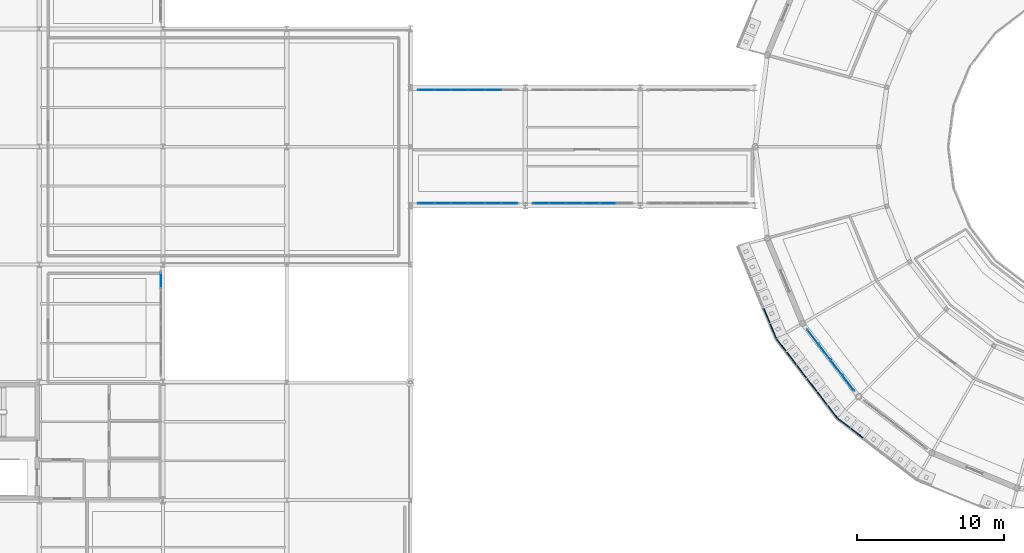
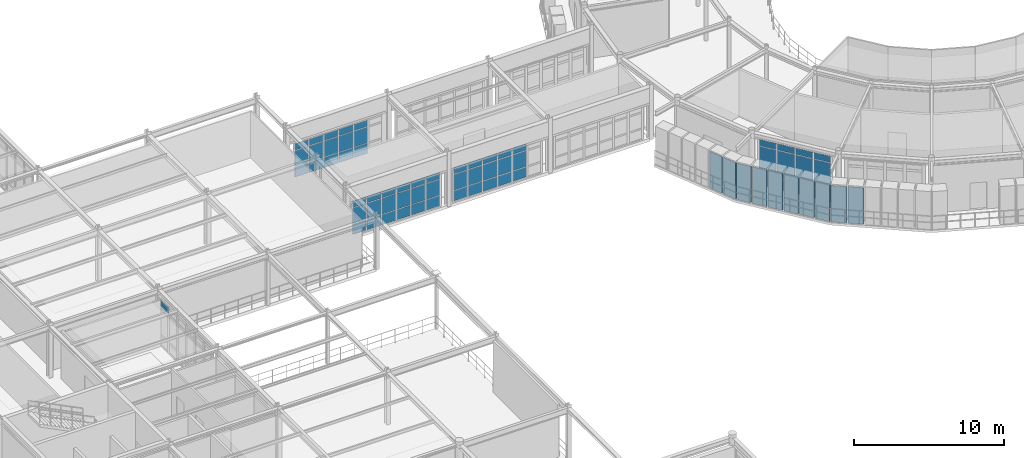
# One storey, part 66 of 106: 71 plates, 5 elements without a shape of their own.
"""IFC4 building model written with IfcOpenShell, lengths in metres."""

from ifc_helpers import new_model, si_unit, derived_unit, direction, frame, origin, origin_2d, place, context, subcontext, project, spatial, rectangle, extrude, material, layer, layer_set, type_object, element, aggregate, save


model = new_model("IFC4")

# Units and contexts
model_context = context("Model", 3, precision=1e-05, world=origin(), true_north=direction((0.0, 1.0)))
body_context = subcontext(model_context, "Body", "Model", "MODEL_VIEW")
ifc_project = project(units=[si_unit("LENGTHUNIT", "METRE"), si_unit("AREAUNIT", "SQUARE_METRE"), si_unit("VOLUMEUNIT", "CUBIC_METRE"), si_unit("PLANEANGLEUNIT", "RADIAN"), si_unit("MASSUNIT", "GRAM", prefix="KILO"), derived_unit("THERMALTRANSMITTANCEUNIT", [(si_unit("POWERUNIT", "WATT"), 1), (si_unit("AREAUNIT", "SQUARE_METRE"), -1), (si_unit("THERMODYNAMICTEMPERATUREUNIT", "KELVIN"), -1)])], contexts=[model_context])

# Site, building, storey
site_placement = place(None, origin())
site = spatial("IfcSite", under=ifc_project, at=site_placement, CompositionType="ELEMENT")
building_placement = place(site_placement, origin())
building = spatial("IfcBuilding", under=site, at=building_placement, Name="Yasenodar Specialist Clinic", CompositionType="ELEMENT")
storey_placement = place(building_placement, frame((0.0, 0.0, 4.5)))
storey = spatial("IfcBuildingStorey", under=building, at=storey_placement, Name="L01", CompositionType="ELEMENT", Elevation=4.5)

# Curtain wall, plates
ifc_material_1 = material(Name="Bronze Anodized Aluminium and Triple Low-E Glass", Category="aluminium")
ifc_layer_1 = layer(ifc_material_1, 0.19091796875)
ifc_layer_set_1 = layer_set([ifc_layer_1], Name="Bronze Anodized Aluminium and Triple Low-E Glass")
curtain_wall_type_1 = type_object("IfcCurtainWallType", Name="CW-SYS-03", PredefinedType="USERDEFINED", material=ifc_layer_set_1)
curtain_wall_1_placement = place(storey_placement, origin())
curtain_wall_1 = element("IfcCurtainWall", 1, at=curtain_wall_1_placement, inside=storey, type_object=curtain_wall_type_1, Name="L01 Unitised Curtain Wall 104", ObjectType="UNITISED CURTAIN WALL", PredefinedType="USERDEFINED")
ifc_material_2 = material(Name="Triple Low-E Argon Glazing", Category="glass")
ifc_layer_2 = layer(ifc_material_2, 0.028076171875)
ifc_layer_set_2 = layer_set([ifc_layer_2], Name="Triple Low-E Argon Glazing")
plate_type_1 = type_object("IfcPlateType", Name="CW-PAN-1", PredefinedType="CURTAIN_PANEL", material=ifc_layer_set_2)
plate_1_placement = place(storey_placement, frame((47.010009765625, 54.949951171875, 0.06005859375), z_axis=(0.0, 0.0, 1.0), x_axis=(-1.0, 0.0, 0.0)))
plate_1 = element("IfcPlate", 2, at=plate_1_placement, type_object=plate_type_1, Name="CW-03 panel 2.1", PredefinedType="CURTAIN_PANEL", context=body_context, shape_type="SweptSolid", body=[
    extrude(rectangle(XDim=1.080078125, YDim=0.028076171875, at=origin_2d()), origin(), (0.0, 0.0, 1.0), 0.81005859375),
])
plate_2_placement = place(storey_placement, frame((47.010009765625, 54.949951171875, 0.929931640625), z_axis=(0.0, 0.0, 1.0), x_axis=(-1.0, 0.0, 0.0)))
plate_2 = element("IfcPlate", 3, at=plate_2_placement, type_object=plate_type_1, Name="CW-03 panel 2.2", PredefinedType="CURTAIN_PANEL", context=body_context, shape_type="SweptSolid", body=[
    extrude(rectangle(XDim=1.080078125, YDim=0.028076171875, at=origin_2d()), origin(), (0.0, 0.0, 1.0), 1.26806640625),
])
plate_3_placement = place(storey_placement, frame((47.010009765625, 54.949951171875, 2.2578125), z_axis=(0.0, 0.0, 1.0), x_axis=(-1.0, 0.0, 0.0)))
plate_3 = element("IfcPlate", 4, at=plate_3_placement, type_object=plate_type_1, Name="CW-03 panel 2.3", PredefinedType="CURTAIN_PANEL", context=body_context, shape_type="SweptSolid", body=[
    extrude(rectangle(XDim=1.080078125, YDim=0.028076171875, at=origin_2d()), origin(), (0.0, 0.0, 1.0), 0.510009765625),
])
plate_4_placement = place(storey_placement, frame((45.8701171875, 54.949951171875, 0.06005859375), z_axis=(0.0, 0.0, 1.0), x_axis=(-1.0, 0.0, 0.0)))
plate_4 = element("IfcPlate", 5, at=plate_4_placement, type_object=plate_type_1, Name="CW-03 panel 3.1", PredefinedType="CURTAIN_PANEL", context=body_context, shape_type="SweptSolid", body=[
    extrude(rectangle(XDim=1.080078125, YDim=0.028076171875, at=origin_2d()), origin(), (0.0, 0.0, 1.0), 0.81005859375),
])
plate_5_placement = place(storey_placement, frame((45.8701171875, 54.949951171875, 0.929931640625), z_axis=(0.0, 0.0, 1.0), x_axis=(-1.0, 0.0, 0.0)))
plate_5 = element("IfcPlate", 6, at=plate_5_placement, type_object=plate_type_1, Name="CW-03 panel 3.2", PredefinedType="CURTAIN_PANEL", context=body_context, shape_type="SweptSolid", body=[
    extrude(rectangle(XDim=1.080078125, YDim=0.028076171875, at=origin_2d()), origin(), (0.0, 0.0, 1.0), 1.26806640625),
])
plate_6_placement = place(storey_placement, frame((45.8701171875, 54.949951171875, 2.2578125), z_axis=(0.0, 0.0, 1.0), x_axis=(-1.0, 0.0, 0.0)))
plate_6 = element("IfcPlate", 7, at=plate_6_placement, type_object=plate_type_1, Name="CW-03 panel 3.3", PredefinedType="CURTAIN_PANEL", context=body_context, shape_type="SweptSolid", body=[
    extrude(rectangle(XDim=1.080078125, YDim=0.028076171875, at=origin_2d()), origin(), (0.0, 0.0, 1.0), 0.510009765625),
])
plate_7_placement = place(storey_placement, frame((44.72998046875, 54.949951171875, 0.06005859375), z_axis=(0.0, 0.0, 1.0), x_axis=(-1.0, 0.0, 0.0)))
plate_7 = element("IfcPlate", 8, at=plate_7_placement, type_object=plate_type_1, Name="CW-03 panel 4.1", PredefinedType="CURTAIN_PANEL", context=body_context, shape_type="SweptSolid", body=[
    extrude(rectangle(XDim=1.080078125, YDim=0.028076171875, at=origin_2d()), origin(), (0.0, 0.0, 1.0), 0.81005859375),
])
plate_8_placement = place(storey_placement, frame((44.72998046875, 54.949951171875, 0.929931640625), z_axis=(0.0, 0.0, 1.0), x_axis=(-1.0, 0.0, 0.0)))
plate_8 = element("IfcPlate", 9, at=plate_8_placement, type_object=plate_type_1, Name="CW-03 panel 4.2", PredefinedType="CURTAIN_PANEL", context=body_context, shape_type="SweptSolid", body=[
    extrude(rectangle(XDim=1.080078125, YDim=0.028076171875, at=origin_2d()), origin(), (0.0, 0.0, 1.0), 1.26806640625),
])
plate_9_placement = place(storey_placement, frame((44.72998046875, 54.949951171875, 2.2578125), z_axis=(0.0, 0.0, 1.0), x_axis=(-1.0, 0.0, 0.0)))
plate_9 = element("IfcPlate", 10, at=plate_9_placement, type_object=plate_type_1, Name="CW-03 panel 4.3", PredefinedType="CURTAIN_PANEL", context=body_context, shape_type="SweptSolid", body=[
    extrude(rectangle(XDim=1.080078125, YDim=0.028076171875, at=origin_2d()), origin(), (0.0, 0.0, 1.0), 0.510009765625),
])
plate_10_placement = place(storey_placement, frame((43.590087890625, 54.949951171875, 0.06005859375), z_axis=(0.0, 0.0, 1.0), x_axis=(-1.0, 0.0, 0.0)))
plate_10 = element("IfcPlate", 11, at=plate_10_placement, type_object=plate_type_1, Name="CW-03 panel 5.1", PredefinedType="CURTAIN_PANEL", context=body_context, shape_type="SweptSolid", body=[
    extrude(rectangle(XDim=1.080078125, YDim=0.028076171875, at=origin_2d()), origin(), (0.0, 0.0, 1.0), 0.81005859375),
])
plate_11_placement = place(storey_placement, frame((43.590087890625, 54.949951171875, 0.929931640625), z_axis=(0.0, 0.0, 1.0), x_axis=(-1.0, 0.0, 0.0)))
plate_11 = element("IfcPlate", 12, at=plate_11_placement, type_object=plate_type_1, Name="CW-03 panel 5.2", PredefinedType="CURTAIN_PANEL", context=body_context, shape_type="SweptSolid", body=[
    extrude(rectangle(XDim=1.080078125, YDim=0.028076171875, at=origin_2d()), origin(), (0.0, 0.0, 1.0), 1.26806640625),
])
plate_12_placement = place(storey_placement, frame((43.590087890625, 54.949951171875, 2.2578125), z_axis=(0.0, 0.0, 1.0), x_axis=(-1.0, 0.0, 0.0)))
plate_12 = element("IfcPlate", 13, at=plate_12_placement, type_object=plate_type_1, Name="CW-03 panel 5.3", PredefinedType="CURTAIN_PANEL", context=body_context, shape_type="SweptSolid", body=[
    extrude(rectangle(XDim=1.080078125, YDim=0.028076171875, at=origin_2d()), origin(), (0.0, 0.0, 1.0), 0.510009765625),
])
plate_13_placement = place(storey_placement, frame((42.465087890625, 54.949951171875, 0.06005859375), z_axis=(0.0, 0.0, 1.0), x_axis=(-1.0, 0.0, 0.0)))
plate_13 = element("IfcPlate", 14, at=plate_13_placement, type_object=plate_type_1, Name="CW-03 panel 6.1", PredefinedType="CURTAIN_PANEL", context=body_context, shape_type="SweptSolid", body=[
    extrude(rectangle(XDim=1.050048828125, YDim=0.028076171875, at=origin_2d()), origin(), (0.0, 0.0, 1.0), 0.81005859375),
])
plate_14_placement = place(storey_placement, frame((42.465087890625, 54.949951171875, 0.929931640625), z_axis=(0.0, 0.0, 1.0), x_axis=(-1.0, 0.0, 0.0)))
plate_14 = element("IfcPlate", 15, at=plate_14_placement, type_object=plate_type_1, Name="CW-03 panel 6.2", PredefinedType="CURTAIN_PANEL", context=body_context, shape_type="SweptSolid", body=[
    extrude(rectangle(XDim=1.050048828125, YDim=0.028076171875, at=origin_2d()), origin(), (0.0, 0.0, 1.0), 1.26806640625),
])
plate_15_placement = place(storey_placement, frame((42.465087890625, 54.949951171875, 2.2578125), z_axis=(0.0, 0.0, 1.0), x_axis=(-1.0, 0.0, 0.0)))
plate_15 = element("IfcPlate", 16, at=plate_15_placement, type_object=plate_type_1, Name="CW-03 panel 6.3", PredefinedType="CURTAIN_PANEL", context=body_context, shape_type="SweptSolid", body=[
    extrude(rectangle(XDim=1.050048828125, YDim=0.028076171875, at=origin_2d()), origin(), (0.0, 0.0, 1.0), 0.510009765625),
])
aggregate(curtain_wall_1, [plate_1, plate_2, plate_3, plate_4, plate_5, plate_6, plate_7, plate_8, plate_9, plate_10, plate_11, plate_12, plate_13, plate_14, plate_15])

curtain_wall_2_placement = place(storey_placement, origin())
curtain_wall_2 = element("IfcCurtainWall", 17, at=curtain_wall_2_placement, inside=storey, type_object=curtain_wall_type_1, Name="L01 Unitised Curtain Wall 101", ObjectType="UNITISED CURTAIN WALL", PredefinedType="USERDEFINED")
ifc_layer_3 = layer(ifc_material_2, 0.033935546875)
ifc_layer_set_3 = layer_set([ifc_layer_3], Name="Triple Low-E Argon Glazing")
plate_type_2 = type_object("IfcPlateType", Name="CW-PAN-2", PredefinedType="CURTAIN_PANEL", material=ifc_layer_set_3)
plate_16_placement = place(storey_placement, frame((34.6650390625, 62.64990234375, 0.06005859375), z_axis=(0.0, 0.0, 1.0), x_axis=(1.0, 0.0, 0.0)))
plate_16 = element("IfcPlate", 18, at=plate_16_placement, type_object=plate_type_2, Name="CW-03 panel 1.1", PredefinedType="CURTAIN_PANEL", context=body_context, shape_type="SweptSolid", body=[
    extrude(rectangle(XDim=1.050048828125, YDim=0.033935546875, at=origin_2d()), origin(), (0.0, 0.0, 1.0), 0.81005859375),
])
plate_17_placement = place(storey_placement, frame((34.6650390625, 62.64990234375, 0.929931640625), z_axis=(0.0, 0.0, 1.0), x_axis=(1.0, 0.0, 0.0)))
plate_17 = element("IfcPlate", 19, at=plate_17_placement, type_object=plate_type_2, Name="CW-03 panel 1.2", PredefinedType="CURTAIN_PANEL", context=body_context, shape_type="SweptSolid", body=[
    extrude(rectangle(XDim=1.050048828125, YDim=0.033935546875, at=origin_2d()), origin(), (0.0, 0.0, 1.0), 1.26806640625),
])
plate_18_placement = place(storey_placement, frame((34.6650390625, 62.64990234375, 2.2578125), z_axis=(0.0, 0.0, 1.0), x_axis=(1.0, 0.0, 0.0)))
plate_18 = element("IfcPlate", 20, at=plate_18_placement, type_object=plate_type_2, Name="CW-03 panel 1.3", PredefinedType="CURTAIN_PANEL", context=body_context, shape_type="SweptSolid", body=[
    extrude(rectangle(XDim=1.050048828125, YDim=0.033935546875, at=origin_2d()), origin(), (0.0, 0.0, 1.0), 0.510009765625),
])
plate_19_placement = place(storey_placement, frame((35.7900390625, 62.64990234375, 0.06005859375), z_axis=(0.0, 0.0, 1.0), x_axis=(1.0, 0.0, 0.0)))
plate_19 = element("IfcPlate", 21, at=plate_19_placement, type_object=plate_type_2, Name="CW-03 panel 2.1", PredefinedType="CURTAIN_PANEL", context=body_context, shape_type="SweptSolid", body=[
    extrude(rectangle(XDim=1.080078125, YDim=0.033935546875, at=origin_2d()), origin(), (0.0, 0.0, 1.0), 0.81005859375),
])
plate_20_placement = place(storey_placement, frame((35.7900390625, 62.64990234375, 0.929931640625), z_axis=(0.0, 0.0, 1.0), x_axis=(1.0, 0.0, 0.0)))
plate_20 = element("IfcPlate", 22, at=plate_20_placement, type_object=plate_type_2, Name="CW-03 panel 2.2", PredefinedType="CURTAIN_PANEL", context=body_context, shape_type="SweptSolid", body=[
    extrude(rectangle(XDim=1.080078125, YDim=0.033935546875, at=origin_2d()), origin(), (0.0, 0.0, 1.0), 1.26806640625),
])
plate_21_placement = place(storey_placement, frame((35.7900390625, 62.64990234375, 2.2578125), z_axis=(0.0, 0.0, 1.0), x_axis=(1.0, 0.0, 0.0)))
plate_21 = element("IfcPlate", 23, at=plate_21_placement, type_object=plate_type_2, Name="CW-03 panel 2.3", PredefinedType="CURTAIN_PANEL", context=body_context, shape_type="SweptSolid", body=[
    extrude(rectangle(XDim=1.080078125, YDim=0.033935546875, at=origin_2d()), origin(), (0.0, 0.0, 1.0), 0.510009765625),
])
plate_22_placement = place(storey_placement, frame((36.929931640625, 62.64990234375, 0.06005859375), z_axis=(0.0, 0.0, 1.0), x_axis=(1.0, 0.0, 0.0)))
plate_22 = element("IfcPlate", 24, at=plate_22_placement, type_object=plate_type_2, Name="CW-03 panel 3.1", PredefinedType="CURTAIN_PANEL", context=body_context, shape_type="SweptSolid", body=[
    extrude(rectangle(XDim=1.080078125, YDim=0.033935546875, at=origin_2d()), origin(), (0.0, 0.0, 1.0), 0.81005859375),
])
plate_23_placement = place(storey_placement, frame((36.929931640625, 62.64990234375, 0.929931640625), z_axis=(0.0, 0.0, 1.0), x_axis=(1.0, 0.0, 0.0)))
plate_23 = element("IfcPlate", 25, at=plate_23_placement, type_object=plate_type_2, Name="CW-03 panel 3.2", PredefinedType="CURTAIN_PANEL", context=body_context, shape_type="SweptSolid", body=[
    extrude(rectangle(XDim=1.080078125, YDim=0.033935546875, at=origin_2d()), origin(), (0.0, 0.0, 1.0), 1.26806640625),
])
plate_24_placement = place(storey_placement, frame((36.929931640625, 62.64990234375, 2.2578125), z_axis=(0.0, 0.0, 1.0), x_axis=(1.0, 0.0, 0.0)))
plate_24 = element("IfcPlate", 26, at=plate_24_placement, type_object=plate_type_2, Name="CW-03 panel 3.3", PredefinedType="CURTAIN_PANEL", context=body_context, shape_type="SweptSolid", body=[
    extrude(rectangle(XDim=1.080078125, YDim=0.033935546875, at=origin_2d()), origin(), (0.0, 0.0, 1.0), 0.510009765625),
])
plate_25_placement = place(storey_placement, frame((38.070068359375, 62.64990234375, 0.06005859375), z_axis=(0.0, 0.0, 1.0), x_axis=(1.0, 0.0, 0.0)))
plate_25 = element("IfcPlate", 27, at=plate_25_placement, type_object=plate_type_2, Name="CW-03 panel 4.1", PredefinedType="CURTAIN_PANEL", context=body_context, shape_type="SweptSolid", body=[
    extrude(rectangle(XDim=1.080078125, YDim=0.033935546875, at=origin_2d()), origin(), (0.0, 0.0, 1.0), 0.81005859375),
])
plate_26_placement = place(storey_placement, frame((38.070068359375, 62.64990234375, 0.929931640625), z_axis=(0.0, 0.0, 1.0), x_axis=(1.0, 0.0, 0.0)))
plate_26 = element("IfcPlate", 28, at=plate_26_placement, type_object=plate_type_2, Name="CW-03 panel 4.2", PredefinedType="CURTAIN_PANEL", context=body_context, shape_type="SweptSolid", body=[
    extrude(rectangle(XDim=1.080078125, YDim=0.033935546875, at=origin_2d()), origin(), (0.0, 0.0, 1.0), 1.26806640625),
])
plate_27_placement = place(storey_placement, frame((38.070068359375, 62.64990234375, 2.2578125), z_axis=(0.0, 0.0, 1.0), x_axis=(1.0, 0.0, 0.0)))
plate_27 = element("IfcPlate", 29, at=plate_27_placement, type_object=plate_type_2, Name="CW-03 panel 4.3", PredefinedType="CURTAIN_PANEL", context=body_context, shape_type="SweptSolid", body=[
    extrude(rectangle(XDim=1.080078125, YDim=0.033935546875, at=origin_2d()), origin(), (0.0, 0.0, 1.0), 0.510009765625),
])
plate_28_placement = place(storey_placement, frame((39.2099609375, 62.64990234375, 0.06005859375), z_axis=(0.0, 0.0, 1.0), x_axis=(1.0, 0.0, 0.0)))
plate_28 = element("IfcPlate", 30, at=plate_28_placement, type_object=plate_type_2, Name="CW-03 panel 5.1", PredefinedType="CURTAIN_PANEL", context=body_context, shape_type="SweptSolid", body=[
    extrude(rectangle(XDim=1.080078125, YDim=0.033935546875, at=origin_2d()), origin(), (0.0, 0.0, 1.0), 0.81005859375),
])
plate_29_placement = place(storey_placement, frame((39.2099609375, 62.64990234375, 0.929931640625), z_axis=(0.0, 0.0, 1.0), x_axis=(1.0, 0.0, 0.0)))
plate_29 = element("IfcPlate", 31, at=plate_29_placement, type_object=plate_type_2, Name="CW-03 panel 5.2", PredefinedType="CURTAIN_PANEL", context=body_context, shape_type="SweptSolid", body=[
    extrude(rectangle(XDim=1.080078125, YDim=0.033935546875, at=origin_2d()), origin(), (0.0, 0.0, 1.0), 1.26806640625),
])
plate_30_placement = place(storey_placement, frame((39.2099609375, 62.64990234375, 2.2578125), z_axis=(0.0, 0.0, 1.0), x_axis=(1.0, 0.0, 0.0)))
plate_30 = element("IfcPlate", 32, at=plate_30_placement, type_object=plate_type_2, Name="CW-03 panel 5.3", PredefinedType="CURTAIN_PANEL", context=body_context, shape_type="SweptSolid", body=[
    extrude(rectangle(XDim=1.080078125, YDim=0.033935546875, at=origin_2d()), origin(), (0.0, 0.0, 1.0), 0.510009765625),
])
aggregate(curtain_wall_2, [plate_16, plate_17, plate_18, plate_19, plate_20, plate_21, plate_22, plate_23, plate_24, plate_25, plate_26, plate_27, plate_28, plate_29, plate_30])

# Curtain wall, plate
ifc_layer_4 = layer(ifc_material_1, 0.202880859375)
ifc_layer_set_4 = layer_set([ifc_layer_4], Name="Bronze Anodized Aluminium and Triple Low-E Glass")
curtain_wall_type_2 = type_object("IfcCurtainWallType", Name="CW-SYS-04", PredefinedType="USERDEFINED", material=ifc_layer_set_4)
curtain_wall_3_placement = place(storey_placement, origin())
curtain_wall_3 = element("IfcCurtainWall", 33, at=curtain_wall_3_placement, inside=storey, type_object=curtain_wall_type_2, Name="L01 Unitised Curtain Wall 125", ObjectType="UNITISED CURTAIN WALL", PredefinedType="USERDEFINED")
plate_31_placement = place(storey_placement, frame((16.64990234375, 49.714599609375, 3.21533203125), z_axis=(0.0, 0.0, 1.0), x_axis=(0.0, -1.0, 0.0)))
plate_31 = element("IfcPlate", 34, at=plate_31_placement, type_object=plate_type_2, Name="CW-04 panel 1.3", PredefinedType="CURTAIN_PANEL", context=body_context, shape_type="SweptSolid", body=[
    extrude(rectangle(XDim=1.060791015625, YDim=0.033935546875, at=origin_2d()), origin(), (0.0, 0.0, 1.0), 0.487548828125),
])
aggregate(curtain_wall_3, [plate_31])

# Curtain wall, plates
curtain_wall_4_placement = place(storey_placement, origin())
curtain_wall_4 = element("IfcCurtainWall", 35, at=curtain_wall_4_placement, inside=storey, type_object=curtain_wall_type_1, Name="L01 Unitised Curtain Wall 102", ObjectType="UNITISED CURTAIN WALL", PredefinedType="USERDEFINED")
ifc_layer_5 = layer(ifc_material_2, 0.0400390625)
ifc_layer_set_5 = layer_set([ifc_layer_5], Name="Triple Low-E Argon Glazing")
plate_type_3 = type_object("IfcPlateType", Name="CW-PAN-3", PredefinedType="CURTAIN_PANEL", material=ifc_layer_set_5)
plate_32_placement = place(storey_placement, frame((40.3349609375, 54.949951171875, 0.06005859375), z_axis=(0.0, 0.0, 1.0), x_axis=(-1.0, 0.0, 0.0)))
plate_32 = element("IfcPlate", 36, at=plate_32_placement, type_object=plate_type_3, Name="CW-03 panel 1.1", PredefinedType="CURTAIN_PANEL", context=body_context, shape_type="SweptSolid", body=[
    extrude(rectangle(XDim=1.050048828125, YDim=0.0400390625, at=origin_2d()), origin(), (0.0, 0.0, 1.0), 0.81005859375),
])
plate_33_placement = place(storey_placement, frame((40.3349609375, 54.949951171875, 0.929931640625), z_axis=(0.0, 0.0, 1.0), x_axis=(-1.0, 0.0, 0.0)))
plate_33 = element("IfcPlate", 37, at=plate_33_placement, type_object=plate_type_3, Name="CW-03 panel 1.2", PredefinedType="CURTAIN_PANEL", context=body_context, shape_type="SweptSolid", body=[
    extrude(rectangle(XDim=1.050048828125, YDim=0.0400390625, at=origin_2d()), origin(), (0.0, 0.0, 1.0), 1.26806640625),
])
plate_34_placement = place(storey_placement, frame((40.3349609375, 54.949951171875, 2.2578125), z_axis=(0.0, 0.0, 1.0), x_axis=(-1.0, 0.0, 0.0)))
plate_34 = element("IfcPlate", 38, at=plate_34_placement, type_object=plate_type_3, Name="CW-03 panel 1.3", PredefinedType="CURTAIN_PANEL", context=body_context, shape_type="SweptSolid", body=[
    extrude(rectangle(XDim=1.050048828125, YDim=0.0400390625, at=origin_2d()), origin(), (0.0, 0.0, 1.0), 0.510009765625),
])
plate_35_placement = place(storey_placement, frame((39.2099609375, 54.949951171875, 0.06005859375), z_axis=(0.0, 0.0, 1.0), x_axis=(-1.0, 0.0, 0.0)))
plate_35 = element("IfcPlate", 39, at=plate_35_placement, type_object=plate_type_3, Name="CW-03 panel 2.1", PredefinedType="CURTAIN_PANEL", context=body_context, shape_type="SweptSolid", body=[
    extrude(rectangle(XDim=1.080078125, YDim=0.0400390625, at=origin_2d()), origin(), (0.0, 0.0, 1.0), 0.81005859375),
])
plate_36_placement = place(storey_placement, frame((39.2099609375, 54.949951171875, 0.929931640625), z_axis=(0.0, 0.0, 1.0), x_axis=(-1.0, 0.0, 0.0)))
plate_36 = element("IfcPlate", 40, at=plate_36_placement, type_object=plate_type_3, Name="CW-03 panel 2.2", PredefinedType="CURTAIN_PANEL", context=body_context, shape_type="SweptSolid", body=[
    extrude(rectangle(XDim=1.080078125, YDim=0.0400390625, at=origin_2d()), origin(), (0.0, 0.0, 1.0), 1.26806640625),
])
plate_37_placement = place(storey_placement, frame((39.2099609375, 54.949951171875, 2.2578125), z_axis=(0.0, 0.0, 1.0), x_axis=(-1.0, 0.0, 0.0)))
plate_37 = element("IfcPlate", 41, at=plate_37_placement, type_object=plate_type_3, Name="CW-03 panel 2.3", PredefinedType="CURTAIN_PANEL", context=body_context, shape_type="SweptSolid", body=[
    extrude(rectangle(XDim=1.080078125, YDim=0.0400390625, at=origin_2d()), origin(), (0.0, 0.0, 1.0), 0.510009765625),
])
plate_38_placement = place(storey_placement, frame((38.070068359375, 54.949951171875, 0.06005859375), z_axis=(0.0, 0.0, 1.0), x_axis=(-1.0, 0.0, 0.0)))
plate_38 = element("IfcPlate", 42, at=plate_38_placement, type_object=plate_type_3, Name="CW-03 panel 3.1", PredefinedType="CURTAIN_PANEL", context=body_context, shape_type="SweptSolid", body=[
    extrude(rectangle(XDim=1.080078125, YDim=0.0400390625, at=origin_2d()), origin(), (0.0, 0.0, 1.0), 0.81005859375),
])
plate_39_placement = place(storey_placement, frame((38.070068359375, 54.949951171875, 0.929931640625), z_axis=(0.0, 0.0, 1.0), x_axis=(-1.0, 0.0, 0.0)))
plate_39 = element("IfcPlate", 43, at=plate_39_placement, type_object=plate_type_3, Name="CW-03 panel 3.2", PredefinedType="CURTAIN_PANEL", context=body_context, shape_type="SweptSolid", body=[
    extrude(rectangle(XDim=1.080078125, YDim=0.0400390625, at=origin_2d()), origin(), (0.0, 0.0, 1.0), 1.26806640625),
])
plate_40_placement = place(storey_placement, frame((38.070068359375, 54.949951171875, 2.2578125), z_axis=(0.0, 0.0, 1.0), x_axis=(-1.0, 0.0, 0.0)))
plate_40 = element("IfcPlate", 44, at=plate_40_placement, type_object=plate_type_3, Name="CW-03 panel 3.3", PredefinedType="CURTAIN_PANEL", context=body_context, shape_type="SweptSolid", body=[
    extrude(rectangle(XDim=1.080078125, YDim=0.0400390625, at=origin_2d()), origin(), (0.0, 0.0, 1.0), 0.510009765625),
])
plate_41_placement = place(storey_placement, frame((36.929931640625, 54.949951171875, 0.06005859375), z_axis=(0.0, 0.0, 1.0), x_axis=(-1.0, 0.0, 0.0)))
plate_41 = element("IfcPlate", 45, at=plate_41_placement, type_object=plate_type_3, Name="CW-03 panel 4.1", PredefinedType="CURTAIN_PANEL", context=body_context, shape_type="SweptSolid", body=[
    extrude(rectangle(XDim=1.080078125, YDim=0.0400390625, at=origin_2d()), origin(), (0.0, 0.0, 1.0), 0.81005859375),
])
plate_42_placement = place(storey_placement, frame((36.929931640625, 54.949951171875, 0.929931640625), z_axis=(0.0, 0.0, 1.0), x_axis=(-1.0, 0.0, 0.0)))
plate_42 = element("IfcPlate", 46, at=plate_42_placement, type_object=plate_type_3, Name="CW-03 panel 4.2", PredefinedType="CURTAIN_PANEL", context=body_context, shape_type="SweptSolid", body=[
    extrude(rectangle(XDim=1.080078125, YDim=0.0400390625, at=origin_2d()), origin(), (0.0, 0.0, 1.0), 1.26806640625),
])
plate_43_placement = place(storey_placement, frame((36.929931640625, 54.949951171875, 2.2578125), z_axis=(0.0, 0.0, 1.0), x_axis=(-1.0, 0.0, 0.0)))
plate_43 = element("IfcPlate", 47, at=plate_43_placement, type_object=plate_type_3, Name="CW-03 panel 4.3", PredefinedType="CURTAIN_PANEL", context=body_context, shape_type="SweptSolid", body=[
    extrude(rectangle(XDim=1.080078125, YDim=0.0400390625, at=origin_2d()), origin(), (0.0, 0.0, 1.0), 0.510009765625),
])
plate_44_placement = place(storey_placement, frame((35.7900390625, 54.949951171875, 0.06005859375), z_axis=(0.0, 0.0, 1.0), x_axis=(-1.0, 0.0, 0.0)))
plate_44 = element("IfcPlate", 48, at=plate_44_placement, type_object=plate_type_3, Name="CW-03 panel 5.1", PredefinedType="CURTAIN_PANEL", context=body_context, shape_type="SweptSolid", body=[
    extrude(rectangle(XDim=1.080078125, YDim=0.0400390625, at=origin_2d()), origin(), (0.0, 0.0, 1.0), 0.81005859375),
])
plate_45_placement = place(storey_placement, frame((35.7900390625, 54.949951171875, 0.929931640625), z_axis=(0.0, 0.0, 1.0), x_axis=(-1.0, 0.0, 0.0)))
plate_45 = element("IfcPlate", 49, at=plate_45_placement, type_object=plate_type_3, Name="CW-03 panel 5.2", PredefinedType="CURTAIN_PANEL", context=body_context, shape_type="SweptSolid", body=[
    extrude(rectangle(XDim=1.080078125, YDim=0.0400390625, at=origin_2d()), origin(), (0.0, 0.0, 1.0), 1.26806640625),
])
plate_46_placement = place(storey_placement, frame((35.7900390625, 54.949951171875, 2.2578125), z_axis=(0.0, 0.0, 1.0), x_axis=(-1.0, 0.0, 0.0)))
plate_46 = element("IfcPlate", 50, at=plate_46_placement, type_object=plate_type_3, Name="CW-03 panel 5.3", PredefinedType="CURTAIN_PANEL", context=body_context, shape_type="SweptSolid", body=[
    extrude(rectangle(XDim=1.080078125, YDim=0.0400390625, at=origin_2d()), origin(), (0.0, 0.0, 1.0), 0.510009765625),
])
plate_47_placement = place(storey_placement, frame((34.6650390625, 54.949951171875, 0.06005859375), z_axis=(0.0, 0.0, 1.0), x_axis=(-1.0, 0.0, 0.0)))
plate_47 = element("IfcPlate", 51, at=plate_47_placement, type_object=plate_type_3, Name="CW-03 panel 6.1", PredefinedType="CURTAIN_PANEL", context=body_context, shape_type="SweptSolid", body=[
    extrude(rectangle(XDim=1.050048828125, YDim=0.0400390625, at=origin_2d()), origin(), (0.0, 0.0, 1.0), 0.81005859375),
])
plate_48_placement = place(storey_placement, frame((34.6650390625, 54.949951171875, 0.929931640625), z_axis=(0.0, 0.0, 1.0), x_axis=(-1.0, 0.0, 0.0)))
plate_48 = element("IfcPlate", 52, at=plate_48_placement, type_object=plate_type_3, Name="CW-03 panel 6.2", PredefinedType="CURTAIN_PANEL", context=body_context, shape_type="SweptSolid", body=[
    extrude(rectangle(XDim=1.050048828125, YDim=0.0400390625, at=origin_2d()), origin(), (0.0, 0.0, 1.0), 1.26806640625),
])
plate_49_placement = place(storey_placement, frame((34.6650390625, 54.949951171875, 2.2578125), z_axis=(0.0, 0.0, 1.0), x_axis=(-1.0, 0.0, 0.0)))
plate_49 = element("IfcPlate", 53, at=plate_49_placement, type_object=plate_type_3, Name="CW-03 panel 6.3", PredefinedType="CURTAIN_PANEL", context=body_context, shape_type="SweptSolid", body=[
    extrude(rectangle(XDim=1.050048828125, YDim=0.0400390625, at=origin_2d()), origin(), (0.0, 0.0, 1.0), 0.510009765625),
])
aggregate(curtain_wall_4, [plate_32, plate_33, plate_34, plate_35, plate_36, plate_37, plate_38, plate_39, plate_40, plate_41, plate_42, plate_43, plate_44, plate_45, plate_46, plate_47, plate_48, plate_49])

ifc_layer_6 = layer(ifc_material_1, 0.1669921875)
ifc_layer_set_6 = layer_set([ifc_layer_6], Name="Bronze Anodized Aluminium and Triple Low-E Glass")
curtain_wall_type_3 = type_object("IfcCurtainWallType", Name="CW-SYS-01", PredefinedType="USERDEFINED", material=ifc_layer_set_6)
curtain_wall_5_placement = place(storey_placement, origin())
curtain_wall_5 = element("IfcCurtainWall", 54, at=curtain_wall_5_placement, inside=storey, type_object=curtain_wall_type_3, Name="L01 Unitised Curtain Wall 019", ObjectType="UNITISED CURTAIN WALL", PredefinedType="USERDEFINED")
ifc_layer_7 = layer(ifc_material_2, 0.0458984375)
ifc_layer_set_7 = layer_set([ifc_layer_7], Name="Triple Low-E Argon Glazing")
plate_type_4 = type_object("IfcPlateType", Name="CW-PAN-4", PredefinedType="CURTAIN_PANEL", material=ifc_layer_set_7)
plate_50_placement = place(storey_placement, frame((63.324462890625, 42.748291015625, 0.06005859375), z_axis=(0.0, 0.0, 1.0), x_axis=(-0.608752021844, 0.793360558574, 0.0)))
plate_50 = element("IfcPlate", 55, at=plate_50_placement, type_object=plate_type_4, Name="CW-01 panel 1.1", PredefinedType="CURTAIN_PANEL", context=body_context, shape_type="SweptSolid", body=[
    extrude(rectangle(XDim=1.236328125, YDim=0.0458984375, at=origin_2d()), origin(), (0.0, 0.0, 1.0), 0.81005859375),
])
plate_51_placement = place(storey_placement, frame((63.324462890625, 42.748291015625, 0.93017578125), z_axis=(0.0, 0.0, 1.0), x_axis=(-0.608752021844, 0.793360558574, 0.0)))
plate_51 = element("IfcPlate", 56, at=plate_51_placement, type_object=plate_type_4, Name="CW-01 panel 1.2", PredefinedType="CURTAIN_PANEL", context=body_context, shape_type="SweptSolid", body=[
    extrude(rectangle(XDim=1.236328125, YDim=0.0458984375, at=origin_2d()), origin(), (0.0, 0.0, 1.0), 2.278076171875),
])
plate_52_placement = place(storey_placement, frame((63.324462890625, 42.748291015625, 3.26806640625), z_axis=(0.0, 0.0, 1.0), x_axis=(-0.608752021844, 0.793360558574, 0.0)))
plate_52 = element("IfcPlate", 57, at=plate_52_placement, type_object=plate_type_4, Name="CW-01 panel 1.3", PredefinedType="CURTAIN_PANEL", context=body_context, shape_type="SweptSolid", body=[
    extrude(rectangle(XDim=1.236328125, YDim=0.0458984375, at=origin_2d()), origin(), (0.0, 0.0, 1.0), 0.510009765625),
])
plate_53_placement = place(storey_placement, frame((62.526123046875, 43.78857421875, 0.06005859375), z_axis=(0.0, 0.0, 1.0), x_axis=(-0.608752021844, 0.793360558574, 0.0)))
plate_53 = element("IfcPlate", 58, at=plate_53_placement, type_object=plate_type_4, Name="CW-01 panel 2.1", PredefinedType="CURTAIN_PANEL", context=body_context, shape_type="SweptSolid", body=[
    extrude(rectangle(XDim=1.266357421875, YDim=0.0458984375, at=origin_2d()), origin(), (0.0, 0.0, 1.0), 0.81005859375),
])
plate_54_placement = place(storey_placement, frame((62.526123046875, 43.78857421875, 0.93017578125), z_axis=(0.0, 0.0, 1.0), x_axis=(-0.608752021844, 0.793360558574, 0.0)))
plate_54 = element("IfcPlate", 59, at=plate_54_placement, type_object=plate_type_4, Name="CW-01 panel 2.2", PredefinedType="CURTAIN_PANEL", context=body_context, shape_type="SweptSolid", body=[
    extrude(rectangle(XDim=1.266357421875, YDim=0.0458984375, at=origin_2d()), origin(), (0.0, 0.0, 1.0), 2.278076171875),
])
plate_55_placement = place(storey_placement, frame((62.526123046875, 43.78857421875, 3.26806640625), z_axis=(0.0, 0.0, 1.0), x_axis=(-0.608752021844, 0.793360558574, 0.0)))
plate_55 = element("IfcPlate", 60, at=plate_55_placement, type_object=plate_type_4, Name="CW-01 panel 2.3", PredefinedType="CURTAIN_PANEL", context=body_context, shape_type="SweptSolid", body=[
    extrude(rectangle(XDim=1.266357421875, YDim=0.0458984375, at=origin_2d()), origin(), (0.0, 0.0, 1.0), 0.510009765625),
])
plate_56_placement = place(storey_placement, frame((61.71875, 44.8408203125, 0.06005859375), z_axis=(0.0, 0.0, 1.0), x_axis=(-0.608752021844, 0.793360558574, 0.0)))
plate_56 = element("IfcPlate", 61, at=plate_56_placement, type_object=plate_type_4, Name="CW-01 panel 3.1", PredefinedType="CURTAIN_PANEL", context=body_context, shape_type="SweptSolid", body=[
    extrude(rectangle(XDim=1.266357421875, YDim=0.0458984375, at=origin_2d()), origin(), (0.0, 0.0, 1.0), 0.81005859375),
])
plate_57_placement = place(storey_placement, frame((61.71875, 44.8408203125, 0.93017578125), z_axis=(0.0, 0.0, 1.0), x_axis=(-0.608752021844, 0.793360558574, 0.0)))
plate_57 = element("IfcPlate", 62, at=plate_57_placement, type_object=plate_type_4, Name="CW-01 panel 3.2", PredefinedType="CURTAIN_PANEL", context=body_context, shape_type="SweptSolid", body=[
    extrude(rectangle(XDim=1.266357421875, YDim=0.0458984375, at=origin_2d()), origin(), (0.0, 0.0, 1.0), 2.278076171875),
])
plate_58_placement = place(storey_placement, frame((61.71875, 44.8408203125, 3.26806640625), z_axis=(0.0, 0.0, 1.0), x_axis=(-0.608752021844, 0.793360558574, 0.0)))
plate_58 = element("IfcPlate", 63, at=plate_58_placement, type_object=plate_type_4, Name="CW-01 panel 3.3", PredefinedType="CURTAIN_PANEL", context=body_context, shape_type="SweptSolid", body=[
    extrude(rectangle(XDim=1.266357421875, YDim=0.0458984375, at=origin_2d()), origin(), (0.0, 0.0, 1.0), 0.510009765625),
])
plate_59_placement = place(storey_placement, frame((60.92041015625, 45.881103515625, 0.06005859375), z_axis=(0.0, 0.0, 1.0), x_axis=(-0.608752021844, 0.793360558574, 0.0)))
plate_59 = element("IfcPlate", 64, at=plate_59_placement, type_object=plate_type_4, Name="CW-01 panel 4.1", PredefinedType="CURTAIN_PANEL", context=body_context, shape_type="SweptSolid", body=[
    extrude(rectangle(XDim=1.236328125, YDim=0.0458984375, at=origin_2d()), origin(), (0.0, 0.0, 1.0), 0.81005859375),
])
plate_60_placement = place(storey_placement, frame((60.92041015625, 45.881103515625, 0.93017578125), z_axis=(0.0, 0.0, 1.0), x_axis=(-0.608752021844, 0.793360558574, 0.0)))
plate_60 = element("IfcPlate", 65, at=plate_60_placement, type_object=plate_type_4, Name="CW-01 panel 4.2", PredefinedType="CURTAIN_PANEL", context=body_context, shape_type="SweptSolid", body=[
    extrude(rectangle(XDim=1.236328125, YDim=0.0458984375, at=origin_2d()), origin(), (0.0, 0.0, 1.0), 2.278076171875),
])
plate_61_placement = place(storey_placement, frame((60.92041015625, 45.881103515625, 3.26806640625), z_axis=(0.0, 0.0, 1.0), x_axis=(-0.608752021844, 0.793360558574, 0.0)))
plate_61 = element("IfcPlate", 66, at=plate_61_placement, type_object=plate_type_4, Name="CW-01 panel 4.3", PredefinedType="CURTAIN_PANEL", context=body_context, shape_type="SweptSolid", body=[
    extrude(rectangle(XDim=1.236328125, YDim=0.0458984375, at=origin_2d()), origin(), (0.0, 0.0, 1.0), 0.510009765625),
])
aggregate(curtain_wall_5, [plate_50, plate_51, plate_52, plate_53, plate_54, plate_55, plate_56, plate_57, plate_58, plate_59, plate_60, plate_61])

# Plates
ifc_material_3 = material(Name="Thermally Modified Larch and Bronze Girih Jali Screen")
ifc_layer_8 = layer(ifc_material_3, 0.06494140625)
ifc_layer_set_8 = layer_set([ifc_layer_8], Name="Thermally Modified Larch and Bronze Girih Jali Screen")
plate_type_5 = type_object("IfcPlateType", Name="PL-JALI-850", PredefinedType="USERDEFINED", material=ifc_layer_set_8)
for number, where, z_axis, x_axis, name in (
    (67, (57.78515625, 47.333251953125, 0.0048828125), (0.0, 0.0, 1.0), (0.382686667195, -0.923878192594, 0.0), "L01 Sliding Timber-Bronze Jali Shutter Screen 0053"),
    (68, (58.22119140625, 46.2802734375, 0.0048828125), (0.0, 0.0, 1.0), (0.382686667195, -0.923878192594, 0.0), "L01 Sliding Timber-Bronze Jali Shutter Screen 0054"),
    (69, (58.76806640625, 45.3330078125, 0.0048828125), (0.0, 0.0, 1.0), (0.608764217148, -0.793351200869, 0.0), "L01 Sliding Timber-Bronze Jali Shutter Screen 0055"),
    (70, (59.462158203125, 44.4287109375, 0.0048828125), (0.0, 0.0, 1.0), (0.608764217148, -0.793351200869, 0.0), "L01 Sliding Timber-Bronze Jali Shutter Screen 0056"),
    (71, (60.156005859375, 43.5244140625, 0.0048828125), (0.0, 0.0, 1.0), (0.608764217148, -0.793351200869, 0.0), "L01 Sliding Timber-Bronze Jali Shutter Screen 0057"),
    (72, (60.85009765625, 42.619873046875, 0.0048828125), (0.0, 0.0, 1.0), (0.608764217148, -0.793351200869, 0.0), "L01 Sliding Timber-Bronze Jali Shutter Screen 0058"),
    (73, (61.5439453125, 41.715576171875, 0.0048828125), (0.0, 0.0, 1.0), (0.608764217148, -0.793351200869, 0.0), "L01 Sliding Timber-Bronze Jali Shutter Screen 0059"),
    (74, (62.23779296875, 40.811279296875, 0.0048828125), (0.0, 0.0, 1.0), (0.608764217148, -0.793351200869, 0.0), "L01 Sliding Timber-Bronze Jali Shutter Screen 0060"),
    (75, (63.01123046875, 40.037841796875, 0.0048828125), (0.0, 0.0, 1.0), (0.793351200869, -0.608764217148, 0.0), "L01 Sliding Timber-Bronze Jali Shutter Screen 0061"),
    (76, (63.91552734375, 39.343994140625, 0.0048828125), (0.0, 0.0, 1.0), (0.793351200869, -0.608764217148, 0.0), "L01 Sliding Timber-Bronze Jali Shutter Screen 0062"),
):
    element("IfcPlate", number, at=place(storey_placement, frame(where, z_axis=z_axis, x_axis=x_axis)), inside=storey, type_object=plate_type_5, Name=name, ObjectType="SCREEN_PANEL", PredefinedType="USERDEFINED", context=body_context, shape_type="SweptSolid", body=[
        extrude(rectangle(XDim=1.0400390625, YDim=0.06494140625, at=origin_2d()), origin(), (0.0, 0.0, 1.0), 2.949951171875),
    ])

save(model, "model.ifc")
